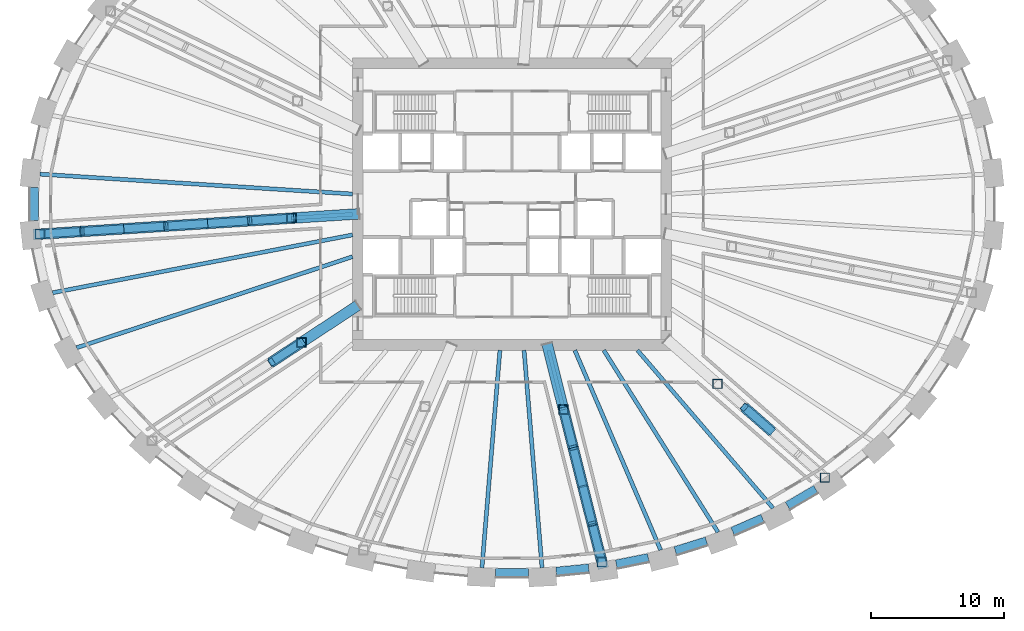
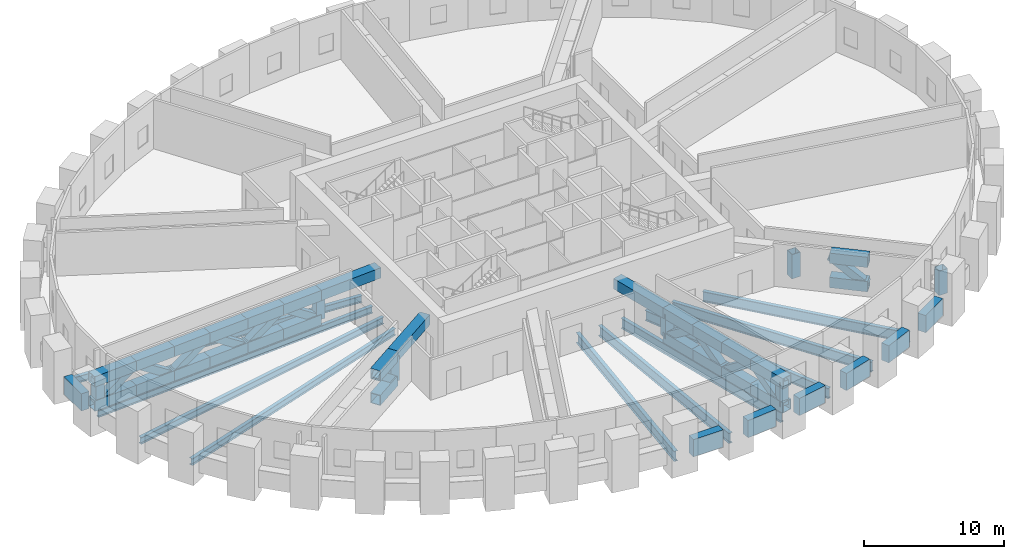
# One storey, part 2 of 13: 46 members, 17 beams.
"""IFC4 building model written with IfcOpenShell, lengths in metres."""

from ifc_helpers import new_model, si_unit, direction, frame, origin, origin_2d, place, context, subcontext, project, spatial, rectangle, hollow_rectangle, i_section, extrude, source, transform, mapped, material, material_profile, profile_set, type_object, element, save


model = new_model("IFC4")

# Units and contexts
model_context = context("Model", 3, precision=1e-05, world=origin(), true_north=direction((0.0, 1.0)))
body_context = subcontext(model_context, "Body", "Model", "MODEL_VIEW")
ifc_project = project(units=[si_unit("LENGTHUNIT", "METRE"), si_unit("AREAUNIT", "SQUARE_METRE"), si_unit("VOLUMEUNIT", "CUBIC_METRE"), si_unit("PLANEANGLEUNIT", "RADIAN"), si_unit("MASSUNIT", "GRAM", prefix="KILO")], contexts=[model_context])

# Site, building, storey
site_placement = place(None, origin())
site = spatial("IfcSite", under=ifc_project, at=site_placement, CompositionType="ELEMENT")
building_placement = place(site_placement, origin())
building = spatial("IfcBuilding", under=site, at=building_placement, Name="Embergate Tower", CompositionType="ELEMENT")
storey_placement = place(building_placement, frame((0.0, 0.0, 195.0)))
storey = spatial("IfcBuildingStorey", under=building, at=storey_placement, Name="L44", CompositionType="ELEMENT", Elevation=195.0)

# Beams
ifc_material_1 = material(Name="Concrete C60", Category="concrete")
ifc_material_profile_1 = material_profile(ifc_material_1, rectangle(XDim=0.64990234375, YDim=1.5, at=origin_2d()), Name="RC 650x1500")
ifc_profile_set_1 = profile_set([ifc_material_profile_1], Name="Concrete C60")
beam_type_1 = type_object("IfcBeamType", Name="Spandrel beam RC 650x1500 C60", PredefinedType="BEAM", material=ifc_profile_set_1)
shared_shape_1 = source(origin(), body_context, "Body", "SweptSolid", [
    extrude(rectangle(XDim=0.64990234375, YDim=1.5, at=origin_2d()), origin(), (0.0, 0.0, 1.0), 2.464111328125),
])
beam_1_placement = place(storey_placement, frame((20.738037109375, -22.70703125, 0.0), z_axis=(0.862005524643, 0.506898880928, 0.0), x_axis=(-0.506898880928, 0.862005524643, 0.0)))
element("IfcBeam", 1, at=beam_1_placement, inside=storey, type_object=beam_type_1, Name="SPN-L44-37", PredefinedType="BEAM", context=body_context, shape_type="MappedRepresentation", body=[
    mapped(shared_shape_1, transform((0.0, 0.0, 0.0))),
])
shared_shape_2 = source(origin(), body_context, "Body", "SweptSolid", [
    extrude(rectangle(XDim=0.64990234375, YDim=1.5, at=origin_2d()), origin(), (0.0, 0.0, 1.0), 2.4609375),
])
beam_2_placement = place(storey_placement, frame((16.60302734375, -24.62890625, 0.0), z_axis=(0.916257487085, 0.400589836818, 0.0), x_axis=(-0.400589836818, 0.916257487085, 0.0)))
element("IfcBeam", 2, at=beam_2_placement, inside=storey, type_object=beam_type_1, Name="SPN-L44-36", PredefinedType="BEAM", context=body_context, shape_type="MappedRepresentation", body=[
    mapped(shared_shape_2, transform((0.0, 0.0, 0.0))),
])
shared_shape_3 = source(origin(), body_context, "Body", "SweptSolid", [
    extrude(rectangle(XDim=0.64990234375, YDim=1.5, at=origin_2d()), origin(), (0.0, 0.0, 1.0), 2.4580078125),
])
beam_3_placement = place(storey_placement, frame((12.2890625, -26.093994140625, 0.0), z_axis=(0.954764072866, 0.297364364315, 0.0), x_axis=(-0.297364364315, 0.954764072866, 0.0)))
element("IfcBeam", 3, at=beam_3_placement, inside=storey, type_object=beam_type_1, Name="SPN-L44-35", PredefinedType="BEAM", context=body_context, shape_type="MappedRepresentation", body=[
    mapped(shared_shape_3, transform((0.0, 0.0, 0.0))),
])
shared_shape_4 = source(origin(), body_context, "Body", "SweptSolid", [
    extrude(rectangle(XDim=0.64990234375, YDim=1.5, at=origin_2d()), origin(), (0.0, 0.0, 1.0), 2.456787109375),
])
beam_4_placement = place(storey_placement, frame((7.845947265625, -27.095947265625, 0.0), z_axis=(0.98049267216, 0.196555640573, 0.0), x_axis=(-0.196555640573, 0.98049267216, 0.0)))
element("IfcBeam", 4, at=beam_4_placement, inside=storey, type_object=beam_type_1, Name="SPN-L44-34", PredefinedType="BEAM", context=body_context, shape_type="MappedRepresentation", body=[
    mapped(shared_shape_4, transform((0.0, 0.0, 0.0))),
])
shared_shape_5 = source(origin(), body_context, "Body", "SweptSolid", [
    extrude(rectangle(XDim=0.64990234375, YDim=1.5, at=origin_2d()), origin(), (0.0, 0.0, 1.0), 2.455810546875),
])
beam_5_placement = place(storey_placement, frame((3.324951171875, -27.64599609375, 0.0), z_axis=(0.995213749565, 0.097722017363, 0.0), x_axis=(-0.097722017363, 0.995213749565, 0.0)))
element("IfcBeam", 5, at=beam_5_placement, inside=storey, type_object=beam_type_1, Name="SPN-L44-33", PredefinedType="BEAM", context=body_context, shape_type="MappedRepresentation", body=[
    mapped(shared_shape_5, transform((0.0, 0.0, 0.0))),
])
shared_shape_6 = source(origin(), body_context, "Body", "SweptSolid", [
    extrude(rectangle(XDim=0.64990234375, YDim=1.5, at=origin_2d()), origin(), (0.0, 0.0, 1.0), 2.4541015625),
])
beam_6_placement = place(storey_placement, frame((-1.22705078125, -27.7490234375, 0.0), z_axis=(1.0, 0.0, 0.0), x_axis=(0.0, 1.0, 0.0)))
element("IfcBeam", 6, at=beam_6_placement, inside=storey, type_object=beam_type_1, Name="SPN-L44-32", PredefinedType="BEAM", context=body_context, shape_type="MappedRepresentation", body=[
    mapped(shared_shape_6, transform((0.0, 0.0, 0.0))),
])
shared_shape_7 = source(origin(), body_context, "Body", "SweptSolid", [
    extrude(rectangle(XDim=0.64990234375, YDim=1.5, at=origin_2d()), origin(), (0.0, 0.0, 1.0), 2.49609375),
])
beam_7_placement = place(storey_placement, frame((-35.968994140625, 1.248046875, 0.0), z_axis=(0.0, -1.0, 0.0), x_axis=(1.0, 0.0, 0.0)))
element("IfcBeam", 7, at=beam_7_placement, inside=storey, type_object=beam_type_1, Name="SPN-L44-21", PredefinedType="BEAM", context=body_context, shape_type="MappedRepresentation", body=[
    mapped(shared_shape_7, transform((0.0, 0.0, 0.0))),
])
ifc_material_2 = material(Name="Steel Q355B", Category="steel")
ifc_material_profile_2 = material_profile(ifc_material_2, i_section(OverallWidth=0.300048828125, OverallDepth=0.587890625, WebThickness=0.011962890625, FlangeThickness=0.02001953125, FilletRadius=0.012939453125, at=origin_2d()), Name="HM 588x300x12x20")
ifc_profile_set_2 = profile_set([ifc_material_profile_2], Name="Steel Q355 grade B")
beam_type_2 = type_object("IfcBeamType", Name="Plant girder HM 588x300x12x20", PredefinedType="BEAM", material=ifc_profile_set_2)
shared_shape_8 = source(origin(), body_context, "Body", "SweptSolid", [
    extrude(i_section(OverallWidth=0.300048828125, OverallDepth=0.587890625, WebThickness=0.011962890625, FlangeThickness=0.02001953125, FilletRadius=0.012939453125, at=origin_2d()), origin(), (0.0, 0.0, 1.0), 23.5712890625),
])
for number, where, z_axis, x_axis, name in (
    (8, (-35.52392578125, 2.256103515625, -0.593994140625), (0.997988955253, -0.063388052454, 0.0), (0.063388052454, 0.997988955253, 0.0), "GIR-L44-21"),
    (9, (-35.52392578125, -2.256103515625, -0.593994140625), (0.997988955253, 0.063388052454, 0.0), (-0.063388052454, 0.997988955253, 0.0), "GIR-L44-22"),
):
    element("IfcBeam", number, at=place(storey_placement, frame(where, z_axis=z_axis, x_axis=x_axis)), inside=storey, type_object=beam_type_2, Name=name, PredefinedType="BEAM", context=body_context, shape_type="MappedRepresentation", body=[
        mapped(shared_shape_8, transform((0.0, 0.0, 0.0))),
    ])
shared_shape_9 = source(origin(), body_context, "Body", "SweptSolid", [
    extrude(i_section(OverallWidth=0.300048828125, OverallDepth=0.587890625, WebThickness=0.011962890625, FlangeThickness=0.02001953125, FilletRadius=0.012939453125, at=origin_2d()), origin(), (0.0, 0.0, 1.0), 22.989990234375),
])
beam_8_placement = place(storey_placement, frame((-34.573974609375, -6.6689453125, -0.593994140625), z_axis=(0.981902604408, 0.189386576761, 0.0), x_axis=(-0.189386576761, 0.981902604408, 0.0)))
element("IfcBeam", 10, at=beam_8_placement, inside=storey, type_object=beam_type_2, Name="GIR-L44-23", PredefinedType="BEAM", context=body_context, shape_type="MappedRepresentation", body=[
    mapped(shared_shape_9, transform((0.0, 0.0, 0.0))),
])
shared_shape_10 = source(origin(), body_context, "Body", "SweptSolid", [
    extrude(i_section(OverallWidth=0.300048828125, OverallDepth=0.587890625, WebThickness=0.011962890625, FlangeThickness=0.02001953125, FilletRadius=0.012939453125, at=origin_2d()), origin(), (0.0, 0.0, 1.0), 21.86181640625),
])
beam_9_placement = place(storey_placement, frame((-32.761962890625, -10.803955078125, -0.593994140625), z_axis=(0.949690212312, 0.313190837411, 0.0), x_axis=(-0.313190837411, 0.949690212312, 0.0)))
element("IfcBeam", 11, at=beam_9_placement, inside=storey, type_object=beam_type_2, Name="GIR-L44-24", PredefinedType="BEAM", context=body_context, shape_type="MappedRepresentation", body=[
    mapped(shared_shape_10, transform((0.0, 0.0, 0.0))),
])
ifc_material_profile_3 = material_profile(ifc_material_2, i_section(OverallWidth=0.300048828125, OverallDepth=0.89990234375, WebThickness=0.01611328125, FlangeThickness=0.028076171875, FilletRadius=0.028076171875, at=origin_2d()), Name="HN 900x300x16x28")
ifc_profile_set_3 = profile_set([ifc_material_profile_3], Name="Steel Q355 grade B")
beam_type_3 = type_object("IfcBeamType", Name="Plant girder HN 900x300x16x28", PredefinedType="BEAM", material=ifc_profile_set_3)
shared_shape_11 = source(origin(), body_context, "Body", "SweptSolid", [
    extrude(i_section(OverallWidth=0.300048828125, OverallDepth=0.89990234375, WebThickness=0.01611328125, FlangeThickness=0.028076171875, FilletRadius=0.028076171875, at=origin_2d()), origin(), (0.0, 0.0, 1.0), 15.656982421875),
])
beam_10_placement = place(storey_placement, frame((19.64697265625, -22.8779296875, -0.75), z_axis=(-0.65152174109, 0.758629963083, 0.0), x_axis=(-0.758629963083, -0.65152174109, 0.0)))
element("IfcBeam", 12, at=beam_10_placement, inside=storey, type_object=beam_type_3, Name="GIR-L44-37", PredefinedType="BEAM", context=body_context, shape_type="MappedRepresentation", body=[
    mapped(shared_shape_11, transform((0.0, 0.0, 0.0))),
])
shared_shape_12 = source(origin(), body_context, "Body", "SweptSolid", [
    extrude(i_section(OverallWidth=0.300048828125, OverallDepth=0.89990234375, WebThickness=0.01611328125, FlangeThickness=0.028076171875, FilletRadius=0.028076171875, at=origin_2d()), origin(), (0.0, 0.0, 1.0), 16.16455078125),
])
beam_11_placement = place(storey_placement, frame((15.5048828125, -24.68896484375, -0.75), z_axis=(-0.531835896926, 0.84684743534, 0.0), x_axis=(-0.84684743534, -0.531835896926, 0.0)))
element("IfcBeam", 13, at=beam_11_placement, inside=storey, type_object=beam_type_3, Name="GIR-L44-36", PredefinedType="BEAM", context=body_context, shape_type="MappedRepresentation", body=[
    mapped(shared_shape_12, transform((0.0, 0.0, 0.0))),
])
shared_shape_13 = source(origin(), body_context, "Body", "SweptSolid", [
    extrude(i_section(OverallWidth=0.300048828125, OverallDepth=0.89990234375, WebThickness=0.01611328125, FlangeThickness=0.028076171875, FilletRadius=0.028076171875, at=origin_2d()), origin(), (0.0, 0.0, 1.0), 16.363037109375),
])
beam_12_placement = place(storey_placement, frame((11.18994140625, -26.032958984375, -0.75), z_axis=(-0.394911270951, 0.918719265105, 0.0), x_axis=(-0.918719265105, -0.394911270951, 0.0)))
element("IfcBeam", 14, at=beam_12_placement, inside=storey, type_object=beam_type_3, Name="GIR-L44-35", PredefinedType="BEAM", context=body_context, shape_type="MappedRepresentation", body=[
    mapped(shared_shape_13, transform((0.0, 0.0, 0.0))),
])
shared_shape_14 = source(origin(), body_context, "Body", "SweptSolid", [
    extrude(i_section(OverallWidth=0.300048828125, OverallDepth=0.89990234375, WebThickness=0.01611328125, FlangeThickness=0.028076171875, FilletRadius=0.028076171875, at=origin_2d()), origin(), (0.0, 0.0, 1.0), 16.416259765625),
])
beam_13_placement = place(storey_placement, frame((6.758056640625, -26.922119140625, -0.75), z_axis=(-0.243483815658, 0.969904960041, 0.0), x_axis=(-0.969904960041, -0.243483815658, 0.0)))
element("IfcBeam", 15, at=beam_13_placement, inside=storey, type_object=beam_type_3, Name="GIR-L44-34", PredefinedType="BEAM", context=body_context, shape_type="MappedRepresentation", body=[
    mapped(shared_shape_14, transform((0.0, 0.0, 0.0))),
])
shared_shape_15 = source(origin(), body_context, "Body", "SweptSolid", [
    extrude(i_section(OverallWidth=0.300048828125, OverallDepth=0.89990234375, WebThickness=0.01611328125, FlangeThickness=0.028076171875, FilletRadius=0.028076171875, at=origin_2d()), origin(), (0.0, 0.0, 1.0), 16.419677734375),
])
for number, where, z_axis, x_axis, name in (
    (16, (-2.260009765625, -27.364013671875, -0.75), (0.082342836437, 0.996604062448, 0.0), (-0.996604062448, 0.082342836437, 0.0), "GIR-L44-32"),
    (17, (2.260009765625, -27.364013671875, -0.75), (-0.082342836437, 0.996604062448, 0.0), (-0.996604062448, -0.082342836437, 0.0), "GIR-L44-33"),
):
    element("IfcBeam", number, at=place(storey_placement, frame(where, z_axis=z_axis, x_axis=x_axis)), inside=storey, type_object=beam_type_3, Name=name, PredefinedType="BEAM", context=body_context, shape_type="MappedRepresentation", body=[
        mapped(shared_shape_15, transform((0.0, 0.0, 0.0))),
    ])

# Members
ifc_material_profile_4 = material_profile(ifc_material_2, hollow_rectangle(XDim=0.699951171875, YDim=0.699951171875, WallThickness=0.031982421875, at=origin_2d()), Name="BOX 700x700x32")
ifc_profile_set_4 = profile_set([ifc_material_profile_4], Name="Steel Q355 grade B")
member_type_1 = type_object("IfcMemberType", Name="Outrigger post BOX 700x700x32", PredefinedType="POST", material=ifc_profile_set_4)
shared_shape_16 = source(origin(), body_context, "Body", "SweptSolid", [
    extrude(hollow_rectangle(XDim=0.699951171875, YDim=0.699951171875, WallThickness=0.031982421875, at=origin_2d()), origin(), (0.0, 0.0, 1.0), 2.1201171875),
])
for number, where, z_axis, x_axis, name in (
    (18, (-16.591064453125, -1.053955078125, 0.449951171875), (0.0, 0.0, 1.0), (1.0, 0.0, 0.0), "OUT-L44-22-PO00"),
    (19, (-35.52392578125, -2.257080078125, 0.449951171875), (0.0, 0.0, 1.0), (1.0, 0.0, 0.0), "OUT-L44-22-PO06"),
    (20, (-15.843994140625, -10.409912109375, 0.449951171875), (0.0, 0.0, 1.0), (1.0, 0.0, 0.0), "OUT-L44-26-PO00"),
    (21, (3.881103515625, -15.4609375, 0.449951171875), (0.0, 0.0, 1.0), (1.0, 0.0, 0.0), "OUT-L44-34-PO00"),
    (22, (6.759033203125, -26.922119140625, 0.449951171875), (0.0, 0.0, 1.0), (1.0, 0.0, 0.0), "OUT-L44-34-PO04"),
    (23, (15.462890625, -13.52197265625, 0.449951171875), (0.0, 0.0, 1.0), (1.0, 0.0, 0.0), "OUT-L44-38-PO00"),
    (24, (23.5419921875, -20.587890625, 0.449951171875), (0.0, 0.0, 1.0), (1.0, 0.0, 0.0), "OUT-L44-38-PO04"),
):
    element("IfcMember", number, at=place(storey_placement, frame(where, z_axis=z_axis, x_axis=x_axis)), inside=storey, type_object=member_type_1, Name=name, PredefinedType="POST", context=body_context, shape_type="MappedRepresentation", body=[
        mapped(shared_shape_16, transform((0.0, 0.0, 0.0))),
    ])
ifc_material_profile_5 = material_profile(ifc_material_2, hollow_rectangle(XDim=0.800048828125, YDim=0.89990234375, WallThickness=0.0400390625, at=origin_2d()), Name="BOX 900x800x40")
ifc_profile_set_5 = profile_set([ifc_material_profile_5], Name="Steel Q355 grade B")
member_type_2 = type_object("IfcMemberType", Name="Outrigger chord BOX 900x800x40", PredefinedType="CHORD", material=ifc_profile_set_5)
shared_shape_17 = source(origin(), body_context, "Body", "SweptSolid", [
    extrude(hollow_rectangle(XDim=0.800048828125, YDim=0.89990234375, WallThickness=0.0400390625, at=origin_2d()), origin(), (0.0, 0.0, 1.0), 5.199951171875),
])
member_1_placement = place(storey_placement, frame((2.638916015625, -10.514892578125, 2.570068359375), z_axis=(0.243673318434, -0.969857367804, 0.0), x_axis=(0.969857367804, 0.243673318434, 0.0)))
element("IfcMember", 25, at=member_1_placement, inside=storey, type_object=member_type_2, Name="OUT-L44-34-TC00", PredefinedType="CHORD", context=body_context, shape_type="MappedRepresentation", body=[
    mapped(shared_shape_17, transform((0.0, 0.0, 0.0))),
])
shared_shape_18 = source(origin(), body_context, "Body", "SweptSolid", [
    extrude(hollow_rectangle(XDim=0.800048828125, YDim=0.89990234375, WallThickness=0.0400390625, at=origin_2d()), origin(), (0.0, 0.0, 1.0), 3.05517578125),
])
for number, where, z_axis, x_axis, name in (
    (26, (3.881103515625, -15.4609375, 2.570068359375), (0.243494460776, -0.969902287641, 0.0), (0.969902287641, 0.243494460776, 0.0), "OUT-L44-34-TC01"),
    (27, (3.881103515625, -15.4609375, 0.449951171875), (0.243494460776, -0.969902287641, 0.0), (0.969902287641, 0.243494460776, 0.0), "OUT-L44-34-BC00"),
):
    element("IfcMember", number, at=place(storey_placement, frame(where, z_axis=z_axis, x_axis=x_axis)), inside=storey, type_object=member_type_2, Name=name, PredefinedType="CHORD", context=body_context, shape_type="MappedRepresentation", body=[
        mapped(shared_shape_18, transform((0.0, 0.0, 0.0))),
    ])
ifc_material_profile_6 = material_profile(ifc_material_2, hollow_rectangle(XDim=0.60009765625, YDim=0.60009765625, WallThickness=0.028076171875, at=origin_2d()), Name="BOX 600x600x28")
ifc_profile_set_6 = profile_set([ifc_material_profile_6], Name="Steel Q355 grade B")
member_type_3 = type_object("IfcMemberType", Name="Outrigger diagonal BOX 600x600x28", PredefinedType="BRACE", material=ifc_profile_set_6)
shared_shape_19 = source(origin(), body_context, "Body", "SweptSolid", [
    extrude(hollow_rectangle(XDim=0.60009765625, YDim=0.60009765625, WallThickness=0.028076171875, at=origin_2d()), origin(), (0.0, 0.0, 1.0), 3.636962890625),
])
member_2_placement = place(storey_placement, frame((3.881103515625, -15.4609375, 0.449951171875), z_axis=(0.197962902703, -0.788025267829, 0.582946709756), x_axis=(0.969864850581, 0.243643533892, 0.0)))
element("IfcMember", 28, at=member_2_placement, inside=storey, type_object=member_type_3, Name="OUT-L44-34-DG00", PredefinedType="BRACE", context=body_context, shape_type="MappedRepresentation", body=[
    mapped(shared_shape_19, transform((0.0, 0.0, 0.0))),
])
shared_shape_20 = source(origin(), body_context, "Body", "SweptSolid", [
    extrude(hollow_rectangle(XDim=0.800048828125, YDim=0.89990234375, WallThickness=0.0400390625, at=origin_2d()), origin(), (0.0, 0.0, 1.0), 5.200439453125),
])
for number, where, z_axis, x_axis, name in (
    (29, (-11.5009765625, -0.72998046875, 2.570068359375), (-0.997983661198, -0.063471347725, 0.0), (0.063471347725, -0.997983661198, 0.0), "OUT-L44-22-TC00"),
    (30, (-11.58203125, -7.60888671875, 2.570068359375), (-0.83567962387, -0.549217230473, 0.0), (0.549217230473, -0.83567962387, 0.0), "OUT-L44-26-TC00"),
):
    element("IfcMember", number, at=place(storey_placement, frame(where, z_axis=z_axis, x_axis=x_axis)), inside=storey, type_object=member_type_2, Name=name, PredefinedType="CHORD", context=body_context, shape_type="MappedRepresentation", body=[
        mapped(shared_shape_20, transform((0.0, 0.0, 0.0))),
    ])
shared_shape_21 = source(origin(), body_context, "Body", "SweptSolid", [
    extrude(hollow_rectangle(XDim=0.800048828125, YDim=0.89990234375, WallThickness=0.0400390625, at=origin_2d()), origin(), (0.0, 0.0, 1.0), 3.261474609375),
])
for number, where, z_axis, x_axis, name in (
    (31, (-16.591064453125, -1.053955078125, 2.570068359375), (-0.997983232915, -0.063478081422, 0.0), (0.063478081422, -0.997983232915, 0.0), "OUT-L44-22-TC01"),
    (32, (-22.902099609375, -1.455078125, 2.570068359375), (-0.997983232915, -0.063478081422, 0.0), (0.063478081422, -0.997983232915, 0.0), "OUT-L44-22-TC03"),
    (33, (-16.591064453125, -1.053955078125, 0.449951171875), (-0.997983232915, -0.063478081422, 0.0), (0.063478081422, -0.997983232915, 0.0), "OUT-L44-22-BC00"),
    (34, (-22.902099609375, -1.455078125, 0.449951171875), (-0.997983232915, -0.063478081422, 0.0), (0.063478081422, -0.997983232915, 0.0), "OUT-L44-22-BC02"),
):
    element("IfcMember", number, at=place(storey_placement, frame(where, z_axis=z_axis, x_axis=x_axis)), inside=storey, type_object=member_type_2, Name=name, PredefinedType="CHORD", context=body_context, shape_type="MappedRepresentation", body=[
        mapped(shared_shape_21, transform((0.0, 0.0, 0.0))),
    ])
shared_shape_22 = source(origin(), body_context, "Body", "SweptSolid", [
    extrude(hollow_rectangle(XDim=0.800048828125, YDim=0.89990234375, WallThickness=0.0400390625, at=origin_2d()), origin(), (0.0, 0.0, 1.0), 3.262451171875),
])
for number, where, z_axis, x_axis, name in (
    (35, (-19.74609375, -1.25390625, 2.570068359375), (-0.997984438897, -0.06345911849, 0.0), (0.06345911849, -0.997984438897, 0.0), "OUT-L44-22-TC02"),
    (36, (-19.74609375, -1.25390625, 0.449951171875), (-0.997984438897, -0.06345911849, 0.0), (0.06345911849, -0.997984438897, 0.0), "OUT-L44-22-BC01"),
):
    element("IfcMember", number, at=place(storey_placement, frame(where, z_axis=z_axis, x_axis=x_axis)), inside=storey, type_object=member_type_2, Name=name, PredefinedType="CHORD", context=body_context, shape_type="MappedRepresentation", body=[
        mapped(shared_shape_22, transform((0.0, 0.0, 0.0))),
    ])
shared_shape_23 = source(origin(), body_context, "Body", "SweptSolid", [
    extrude(hollow_rectangle(XDim=0.800048828125, YDim=0.89990234375, WallThickness=0.0400390625, at=origin_2d()), origin(), (0.0, 0.0, 1.0), 3.2626953125),
])
for number, where, z_axis, x_axis, name in (
    (37, (-26.056884765625, -1.655029296875, 2.570068359375), (-0.997984740224, -0.063454379524, 0.0), (0.063454379524, -0.997984740224, 0.0), "OUT-L44-22-TC04"),
    (38, (-26.056884765625, -1.655029296875, 0.449951171875), (-0.997984740224, -0.063454379524, 0.0), (0.063454379524, -0.997984740224, 0.0), "OUT-L44-22-BC03"),
):
    element("IfcMember", number, at=place(storey_placement, frame(where, z_axis=z_axis, x_axis=x_axis)), inside=storey, type_object=member_type_2, Name=name, PredefinedType="CHORD", context=body_context, shape_type="MappedRepresentation", body=[
        mapped(shared_shape_23, transform((0.0, 0.0, 0.0))),
    ])
shared_shape_24 = source(origin(), body_context, "Body", "SweptSolid", [
    extrude(hollow_rectangle(XDim=0.800048828125, YDim=0.89990234375, WallThickness=0.0400390625, at=origin_2d()), origin(), (0.0, 0.0, 1.0), 3.26171875),
])
for number, where, z_axis, x_axis, name in (
    (39, (-29.212890625, -1.85595703125, 2.570068359375), (-0.997983534512, -0.063473339628, 0.0), (0.063473339628, -0.997983534512, 0.0), "OUT-L44-22-TC05"),
    (40, (-29.212890625, -1.85595703125, 0.449951171875), (-0.997983534512, -0.063473339628, 0.0), (0.063473339628, -0.997983534512, 0.0), "OUT-L44-22-BC04"),
):
    element("IfcMember", number, at=place(storey_placement, frame(where, z_axis=z_axis, x_axis=x_axis)), inside=storey, type_object=member_type_2, Name=name, PredefinedType="CHORD", context=body_context, shape_type="MappedRepresentation", body=[
        mapped(shared_shape_24, transform((0.0, 0.0, 0.0))),
    ])
shared_shape_25 = source(origin(), body_context, "Body", "SweptSolid", [
    extrude(hollow_rectangle(XDim=0.800048828125, YDim=0.89990234375, WallThickness=0.0400390625, at=origin_2d()), origin(), (0.0, 0.0, 1.0), 3.662353515625),
])
for number, where, z_axis, x_axis, name in (
    (41, (-32.367919921875, -2.055908203125, 2.570068359375), (-0.997971606637, -0.063660602788, 0.0), (0.063660602788, -0.997971606637, 0.0), "OUT-L44-22-TC06"),
    (42, (-32.367919921875, -2.055908203125, 0.449951171875), (-0.997971606637, -0.063660602788, 0.0), (0.063660602788, -0.997971606637, 0.0), "OUT-L44-22-BC05"),
):
    element("IfcMember", number, at=place(storey_placement, frame(where, z_axis=z_axis, x_axis=x_axis)), inside=storey, type_object=member_type_2, Name=name, PredefinedType="CHORD", context=body_context, shape_type="MappedRepresentation", body=[
        mapped(shared_shape_25, transform((0.0, 0.0, 0.0))),
    ])
shared_shape_26 = source(origin(), body_context, "Body", "SweptSolid", [
    extrude(hollow_rectangle(XDim=0.60009765625, YDim=0.60009765625, WallThickness=0.028076171875, at=origin_2d()), origin(), (0.0, 0.0, 1.0), 3.806396484375),
])
for number, where, z_axis, x_axis, name in (
    (43, (-16.591064453125, -1.053955078125, 0.449951171875), (-0.8288632472, -0.052529520967, 0.556979682635), (0.063248487689, -0.99799781002, 0.0), "OUT-L44-22-DG00"),
    (44, (-29.212890625, -1.85595703125, 0.449951171875), (-0.8288632472, -0.052529520967, 0.556979682635), (0.063248487689, -0.99799781002, 0.0), "OUT-L44-22-DG04"),
):
    element("IfcMember", number, at=place(storey_placement, frame(where, z_axis=z_axis, x_axis=x_axis)), inside=storey, type_object=member_type_3, Name=name, PredefinedType="BRACE", context=body_context, shape_type="MappedRepresentation", body=[
        mapped(shared_shape_26, transform((0.0, 0.0, 0.0))),
    ])
shared_shape_27 = source(origin(), body_context, "Body", "SweptSolid", [
    extrude(hollow_rectangle(XDim=0.60009765625, YDim=0.60009765625, WallThickness=0.028076171875, at=origin_2d()), origin(), (0.0, 0.0, 1.0), 3.807373046875),
])
for number, where, z_axis, x_axis, name in (
    (45, (-19.74609375, -1.25390625, 2.570068359375), (-0.828929518893, -0.052838084905, -0.556851855965), (0.063613451024, -0.997974613329, 0.0), "OUT-L44-22-DG01"),
    (46, (-26.056884765625, -1.655029296875, 2.570068359375), (-0.828932325768, -0.052774139716, -0.556853741546), (0.063536562074, -0.997979511453, 0.0), "OUT-L44-22-DG03"),
    (47, (-32.367919921875, -2.055908203125, 2.570068359375), (-0.828929518893, -0.052838084905, -0.556851855965), (0.063613451024, -0.997974613329, 0.0), "OUT-L44-22-DG05"),
):
    element("IfcMember", number, at=place(storey_placement, frame(where, z_axis=z_axis, x_axis=x_axis)), inside=storey, type_object=member_type_3, Name=name, PredefinedType="BRACE", context=body_context, shape_type="MappedRepresentation", body=[
        mapped(shared_shape_27, transform((0.0, 0.0, 0.0))),
    ])
shared_shape_28 = source(origin(), body_context, "Body", "SweptSolid", [
    extrude(hollow_rectangle(XDim=0.60009765625, YDim=0.60009765625, WallThickness=0.028076171875, at=origin_2d()), origin(), (0.0, 0.0, 1.0), 3.80615234375),
])
member_3_placement = place(storey_placement, frame((-22.902099609375, -1.455078125, 0.449951171875), z_axis=(-0.828843171131, -0.052532313663, 0.55700929408), x_axis=(0.063253362743, -0.99799750105, 0.0)))
element("IfcMember", 48, at=member_3_placement, inside=storey, type_object=member_type_3, Name="OUT-L44-22-DG02", PredefinedType="BRACE", context=body_context, shape_type="MappedRepresentation", body=[
    mapped(shared_shape_28, transform((0.0, 0.0, 0.0))),
])
shared_shape_29 = source(origin(), body_context, "Body", "SweptSolid", [
    extrude(hollow_rectangle(XDim=0.800048828125, YDim=0.89990234375, WallThickness=0.0400390625, at=origin_2d()), origin(), (0.0, 0.0, 1.0), 2.794677734375),
])
for number, where, z_axis, x_axis, name in (
    (49, (-15.843994140625, -10.409912109375, 2.570068359375), (-0.835847496701, -0.548961712926, 0.0), (0.548961712926, -0.835847496701, 0.0), "OUT-L44-26-TC01"),
    (50, (-15.843994140625, -10.409912109375, 0.449951171875), (-0.835847496701, -0.548961712926, 0.0), (0.548961712926, -0.835847496701, 0.0), "OUT-L44-26-BC00"),
):
    element("IfcMember", number, at=place(storey_placement, frame(where, z_axis=z_axis, x_axis=x_axis)), inside=storey, type_object=member_type_2, Name=name, PredefinedType="CHORD", context=body_context, shape_type="MappedRepresentation", body=[
        mapped(shared_shape_29, transform((0.0, 0.0, 0.0))),
    ])
shared_shape_30 = source(origin(), body_context, "Body", "SweptSolid", [
    extrude(hollow_rectangle(XDim=0.60009765625, YDim=0.60009765625, WallThickness=0.028076171875, at=origin_2d()), origin(), (0.0, 0.0, 1.0), 3.4287109375),
])
member_4_placement = place(storey_placement, frame((-15.843994140625, -10.409912109375, 0.449951171875), z_axis=(-0.656779716705, -0.431634718416, 0.618329906751), x_axis=(0.549210427462, -0.835684094839, 0.0)))
element("IfcMember", 51, at=member_4_placement, inside=storey, type_object=member_type_3, Name="OUT-L44-26-DG00", PredefinedType="BRACE", context=body_context, shape_type="MappedRepresentation", body=[
    mapped(shared_shape_30, transform((0.0, 0.0, 0.0))),
])
shared_shape_31 = source(origin(), body_context, "Body", "SweptSolid", [
    extrude(hollow_rectangle(XDim=0.800048828125, YDim=0.89990234375, WallThickness=0.0400390625, at=origin_2d()), origin(), (0.0, 0.0, 1.0), 3.053955078125),
])
for number, where, z_axis, x_axis, name in (
    (52, (4.60107421875, -18.326904296875, 2.570068359375), (0.243269158151, -0.969958822163, 0.0), (0.969958822163, 0.243269158151, 0.0), "OUT-L44-34-TC02"),
    (53, (4.60107421875, -18.326904296875, 0.449951171875), (0.243269158151, -0.969958822163, 0.0), (0.969958822163, 0.243269158151, 0.0), "OUT-L44-34-BC01"),
):
    element("IfcMember", number, at=place(storey_placement, frame(where, z_axis=z_axis, x_axis=x_axis)), inside=storey, type_object=member_type_2, Name=name, PredefinedType="CHORD", context=body_context, shape_type="MappedRepresentation", body=[
        mapped(shared_shape_31, transform((0.0, 0.0, 0.0))),
    ])
shared_shape_32 = source(origin(), body_context, "Body", "SweptSolid", [
    extrude(hollow_rectangle(XDim=0.800048828125, YDim=0.89990234375, WallThickness=0.0400390625, at=origin_2d()), origin(), (0.0, 0.0, 1.0), 3.05419921875),
])
for number, where, z_axis, x_axis, name in (
    (54, (5.320068359375, -21.19189453125, 2.570068359375), (0.243569974192, -0.969883326835, 0.0), (0.969883326835, 0.243569974192, 0.0), "OUT-L44-34-TC03"),
    (55, (5.320068359375, -21.19189453125, 0.449951171875), (0.243569974192, -0.969883326835, 0.0), (0.969883326835, 0.243569974192, 0.0), "OUT-L44-34-BC02"),
):
    element("IfcMember", number, at=place(storey_placement, frame(where, z_axis=z_axis, x_axis=x_axis)), inside=storey, type_object=member_type_2, Name=name, PredefinedType="CHORD", context=body_context, shape_type="MappedRepresentation", body=[
        mapped(shared_shape_32, transform((0.0, 0.0, 0.0))),
    ])
shared_shape_33 = source(origin(), body_context, "Body", "SweptSolid", [
    extrude(hollow_rectangle(XDim=0.800048828125, YDim=0.89990234375, WallThickness=0.0400390625, at=origin_2d()), origin(), (0.0, 0.0, 1.0), 3.4541015625),
])
for number, where, z_axis, x_axis, name in (
    (56, (6.0400390625, -24.056884765625, 2.570068359375), (0.243500109013, -0.969900869631, 0.0), (0.969900869631, 0.243500109013, 0.0), "OUT-L44-34-TC04"),
    (57, (6.0400390625, -24.056884765625, 0.449951171875), (0.243500109013, -0.969900869631, 0.0), (0.969900869631, 0.243500109013, 0.0), "OUT-L44-34-BC03"),
):
    element("IfcMember", number, at=place(storey_placement, frame(where, z_axis=z_axis, x_axis=x_axis)), inside=storey, type_object=member_type_2, Name=name, PredefinedType="CHORD", context=body_context, shape_type="MappedRepresentation", body=[
        mapped(shared_shape_33, transform((0.0, 0.0, 0.0))),
    ])
shared_shape_34 = source(origin(), body_context, "Body", "SweptSolid", [
    extrude(hollow_rectangle(XDim=0.60009765625, YDim=0.60009765625, WallThickness=0.028076171875, at=origin_2d()), origin(), (0.0, 0.0, 1.0), 3.635986328125),
])
member_5_placement = place(storey_placement, frame((4.60107421875, -18.326904296875, 2.570068359375), z_axis=(0.197746734099, -0.787965339442, -0.583101065847), x_axis=(0.969923320245, 0.243410667075, 0.0)))
element("IfcMember", 58, at=member_5_placement, inside=storey, type_object=member_type_3, Name="OUT-L44-34-DG01", PredefinedType="BRACE", context=body_context, shape_type="MappedRepresentation", body=[
    mapped(shared_shape_34, transform((0.0, 0.0, 0.0))),
])
shared_shape_35 = source(origin(), body_context, "Body", "SweptSolid", [
    extrude(hollow_rectangle(XDim=0.60009765625, YDim=0.60009765625, WallThickness=0.028076171875, at=origin_2d()), origin(), (0.0, 0.0, 1.0), 3.63623046875),
])
for number, where, z_axis, x_axis, name in (
    (59, (5.320068359375, -21.19189453125, 0.449951171875), (0.198004797186, -0.787923463878, 0.583070077573), (0.969845223364, 0.243721650081, 0.0), "OUT-L44-34-DG02"),
    (60, (6.0400390625, -24.056884765625, 2.570068359375), (0.197736271864, -0.787990793411, -0.583070215574), (0.969928216694, 0.243391155263, 0.0), "OUT-L44-34-DG03"),
):
    element("IfcMember", number, at=place(storey_placement, frame(where, z_axis=z_axis, x_axis=x_axis)), inside=storey, type_object=member_type_3, Name=name, PredefinedType="BRACE", context=body_context, shape_type="MappedRepresentation", body=[
        mapped(shared_shape_35, transform((0.0, 0.0, 0.0))),
    ])
shared_shape_36 = source(origin(), body_context, "Body", "SweptSolid", [
    extrude(hollow_rectangle(XDim=0.800048828125, YDim=0.89990234375, WallThickness=0.0400390625, at=origin_2d()), origin(), (0.0, 0.0, 1.0), 2.78369140625),
])
for number, where, z_axis, x_axis, name in (
    (61, (17.48193359375, -15.2890625, 2.570068359375), (0.75291886241, -0.658113353934, 0.0), (0.658113353934, 0.75291886241, 0.0), "OUT-L44-38-TC02"),
    (62, (17.48193359375, -15.2890625, 0.449951171875), (0.75291886241, -0.658113353934, 0.0), (0.658113353934, 0.75291886241, 0.0), "OUT-L44-38-BC01"),
):
    element("IfcMember", number, at=place(storey_placement, frame(where, z_axis=z_axis, x_axis=x_axis)), inside=storey, type_object=member_type_2, Name=name, PredefinedType="CHORD", context=body_context, shape_type="MappedRepresentation", body=[
        mapped(shared_shape_36, transform((0.0, 0.0, 0.0))),
    ])
shared_shape_37 = source(origin(), body_context, "Body", "SweptSolid", [
    extrude(hollow_rectangle(XDim=0.60009765625, YDim=0.60009765625, WallThickness=0.028076171875, at=origin_2d()), origin(), (0.0, 0.0, 1.0), 3.419677734375),
])
member_6_placement = place(storey_placement, frame((17.48193359375, -15.2890625, 2.570068359375), z_axis=(0.590717937741, -0.516396282775, -0.619989675048), x_axis=(0.658156668203, 0.75288099996, 0.0)))
element("IfcMember", 63, at=member_6_placement, inside=storey, type_object=member_type_3, Name="OUT-L44-38-DG01", PredefinedType="BRACE", context=body_context, shape_type="MappedRepresentation", body=[
    mapped(shared_shape_37, transform((0.0, 0.0, 0.0))),
])

save(model, "model.ifc")
